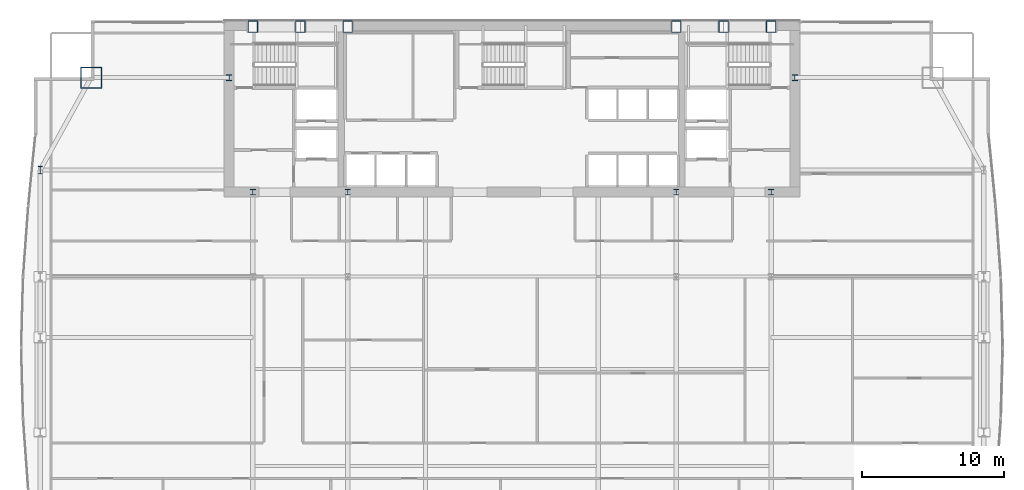
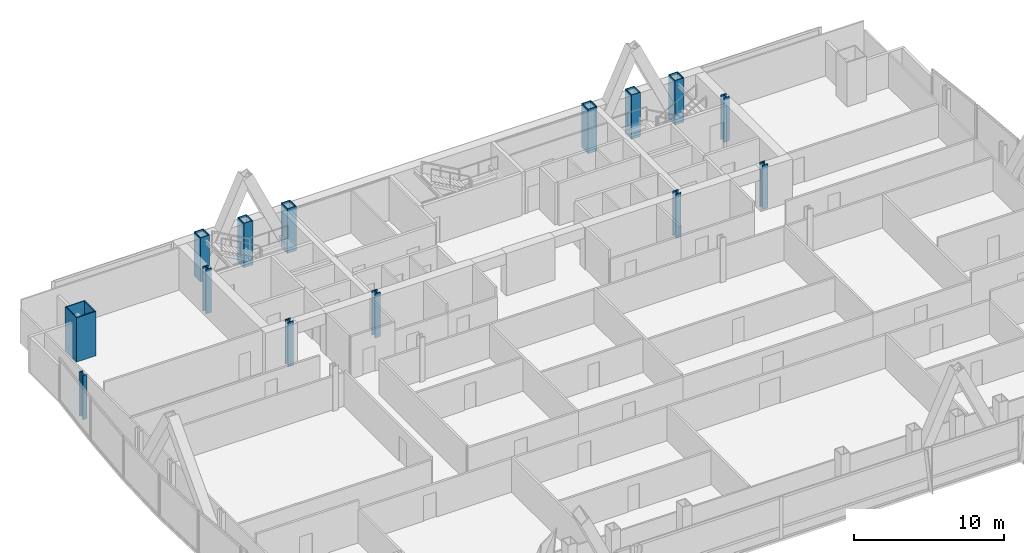
# One storey, part 3 of 31: 14 columns.
"""IFC4 building model written with IfcOpenShell, lengths in metres."""

import ifcopenshell
import ifcopenshell.guid

model = None  # the IFC model being written
_history = None  # IfcOwnerHistory: only IFC2X3 demands one
_inside = {}  # id of a spatial element -> (the spatial element, [elements in it])
_under = {}  # id of a project, library or spatial element -> (it, [spatial elements below it])
_declared = {}  # id of a project -> (the project, [libraries it declares])
_typed = {}  # id of a type object -> (the type object, [elements of that type])
_made_of = {}  # id of a material, layer set ... -> (it, [elements and type objects made of it])


def new_model(schema):
    """Start an empty IFC model of exactly this schema.

    Asked for "IFC4X3", IfcOpenShell would pick the latest addendum, in which some entities
    have other attributes; the version numbers below select the first issue.
    IFC2X3 requires an IfcOwnerHistory on every rooted entity: one is made here for all.
    """
    global model, _history
    if schema == "IFC4X3":
        model = ifcopenshell.file(schema_version=(4, 3, 0, 0))
    else:
        model = ifcopenshell.file(schema=schema)
    _inside.clear()
    _under.clear()
    _declared.clear()
    _typed.clear()
    _made_of.clear()
    _history = None
    if model.schema == "IFC2X3":
        org = make("IfcOrganization", Name="unknown")
        user = make(
            "IfcPersonAndOrganization",
            ThePerson=make("IfcPerson", FamilyName="unknown"),
            TheOrganization=org,
        )
        app = make(
            "IfcApplication",
            ApplicationDeveloper=org,
            Version="unknown",
            ApplicationFullName="unknown",
            ApplicationIdentifier="unknown",
        )
        _history = make(
            "IfcOwnerHistory",
            OwningUser=user,
            OwningApplication=app,
            ChangeAction="ADDED",
            CreationDate=0,
        )
    return model


def make(cls, **values):
    """One entity of the class cls with the attributes given. An attribute that is None is left unset."""
    return model.create_entity(
        cls, **{name: value for name, value in values.items() if value is not None}
    )


def rooted(cls, **values):
    """An entity with a GlobalId (a new one), such as an element, a storey or a relation."""
    return make(cls, GlobalId=ifcopenshell.guid.new(), OwnerHistory=_history, **values)


def si_unit(unit_type, name, prefix=None):
    """IfcSIUnit, for example si_unit("LENGTHUNIT", "METRE", prefix="MILLI")."""
    return make("IfcSIUnit", UnitType=unit_type, Prefix=prefix, Name=name)


def assignment(units):
    """IfcUnitAssignment: the units of a project."""
    return None if units is None else make("IfcUnitAssignment", Units=units)


def point(xyz):
    """IfcCartesianPoint."""
    return None if xyz is None else make("IfcCartesianPoint", Coordinates=xyz)


def direction(xyz):
    """IfcDirection."""
    return None if xyz is None else make("IfcDirection", DirectionRatios=xyz)


def frame(location, z_axis=None, x_axis=None):
    """IfcAxis2Placement3D, a coordinate frame: its origin and axes. An axis left out is left unset."""
    return make(
        "IfcAxis2Placement3D",
        Location=point(location),
        Axis=direction(z_axis),
        RefDirection=direction(x_axis),
    )


def frame_2d(location, x_axis=None):
    """IfcAxis2Placement2D, a coordinate frame in the plane: its origin and x axis."""
    return make(
        "IfcAxis2Placement2D", Location=point(location), RefDirection=direction(x_axis)
    )


def origin():
    """The frame at (0, 0, 0) with its axes left unset."""
    return frame((0.0, 0.0, 0.0))


def origin_2d():
    """The frame at (0, 0) in the plane with its x axis left unset."""
    return frame_2d((0.0, 0.0))


def place(relative_to, where):
    """IfcLocalPlacement: puts the frame where relative to a parent placement (None: the world)."""
    return make(
        "IfcLocalPlacement", PlacementRelTo=relative_to, RelativePlacement=where
    )


def context(
    kind, dimensions, precision=None, world=None, true_north=None, identifier=None
):
    """IfcGeometricRepresentationContext, for example the 3D "Model" context."""
    return make(
        "IfcGeometricRepresentationContext",
        ContextIdentifier=identifier,
        ContextType=kind,
        CoordinateSpaceDimension=dimensions,
        Precision=precision,
        WorldCoordinateSystem=world,
        TrueNorth=true_north,
    )


def subcontext(parent, identifier, kind, view, scale=None):
    """IfcGeometricRepresentationSubContext, for example "Body" below "Model"."""
    return make(
        "IfcGeometricRepresentationSubContext",
        ContextIdentifier=identifier,
        ContextType=kind,
        ParentContext=parent,
        TargetScale=scale,
        TargetView=view,
    )


def project(units=None, contexts=None):
    """IfcProject with its units and contexts."""
    return rooted(
        "IfcProject",
        Name="project",
        RepresentationContexts=contexts,
        UnitsInContext=assignment(units),
    )


def spatial(cls, under=None, at=None, **own):
    """A site, building, storey or space (cls), placed at a placement, below another one or the project."""
    s = rooted(cls, ObjectPlacement=at, **own)
    if under is not None:
        _under.setdefault(under.id(), (under, []))[1].append(s)
    return s


def profile(cls, at=None, kind="AREA", **sizes):
    """A parametric profile (cls). Its sizes go by their IFC names, for example OverallWidth=200.0."""
    return make(cls, ProfileType=kind, Position=at, **sizes)


def hollow_rectangle(**sizes):
    """IfcRectangleHollowProfileDef."""
    return profile("IfcRectangleHollowProfileDef", **sizes)


def i_section(**sizes):
    """IfcIShapeProfileDef."""
    return profile("IfcIShapeProfileDef", **sizes)


def extrude(swept, where, along, depth):
    """IfcExtrudedAreaSolid: the profile swept, set in the frame where, extruded along a direction by depth."""
    return make(
        "IfcExtrudedAreaSolid",
        SweptArea=swept,
        Position=where,
        ExtrudedDirection=direction(along),
        Depth=depth,
    )


def shape(context_of_items, identifier, shape_type, items):
    """IfcShapeRepresentation: the items that make up one representation, for example the "Body"."""
    return make(
        "IfcShapeRepresentation",
        ContextOfItems=context_of_items,
        RepresentationIdentifier=identifier,
        RepresentationType=shape_type,
        Items=items,
    )


def material(Name=None, Category=None):
    """IfcMaterial."""
    return make("IfcMaterial", Name=Name, Category=Category)


def material_profile(
    of_material, cross_section, Name=None, Category=None, Priority=None
):
    """IfcMaterialProfile: a cross section and its material."""
    return make(
        "IfcMaterialProfile",
        Name=Name,
        Material=of_material,
        Profile=cross_section,
        Priority=Priority,
        Category=Category,
    )


def profile_set(profiles, Name=None, composite=None):
    """IfcMaterialProfileSet."""
    return make(
        "IfcMaterialProfileSet",
        Name=Name,
        MaterialProfiles=profiles,
        CompositeProfile=composite,
    )


def made_of(thing, what):
    """Note that an element or type object is made of a material, layer set ...; save() writes the relation."""
    if what is not None:
        _made_of.setdefault(what.id(), (what, []))[1].append(thing)
    return thing


def type_object(cls, material=None, **own):
    """A type object (cls), such as IfcWallType, which elements share."""
    return made_of(rooted(cls, **own), material)


def element(
    cls,
    number,
    at=None,
    inside=None,
    cuts=None,
    type_object=None,
    material=None,
    context=None,
    identifier="Body",
    shape_type=None,
    held_by="IfcProductDefinitionShape",
    body=None,
    shapes=None,
    **own,
):
    """One element of the class cls, such as IfcWall. Its Tag is "e" and its number.

    at: its placement. inside: the storey or other place that contains it. cuts: it is an
    opening in that element (IfcRelVoidsElement). A single representation is given by context,
    identifier, shape_type and body (its items); several are given by shapes. held_by: the class
    of the entity that holds the representations. save() writes the other relations.
    """
    e = rooted(cls, Tag="e%d" % number, ObjectPlacement=at, **own)
    if body is not None:
        shapes = [shape(context, identifier, shape_type, body)]
    if shapes is not None:
        e.Representation = make(held_by, Representations=shapes)
    if inside is not None:
        _inside.setdefault(inside.id(), (inside, []))[1].append(e)
    if cuts is not None:
        rooted(
            "IfcRelVoidsElement", RelatingBuildingElement=cuts, RelatedOpeningElement=e
        )
    if type_object is not None:
        _typed.setdefault(type_object.id(), (type_object, []))[1].append(e)
    return made_of(e, material)


def aggregate(whole, parts):
    """IfcRelAggregates: a whole, such as a stair, and the parts it consists of."""
    return rooted("IfcRelAggregates", RelatingObject=whole, RelatedObjects=parts)


def save(model, path):
    """Write the relations noted so far, then the file.

    IfcRelAggregates (storeys below a building ...), IfcRelContainedInSpatialStructure (elements
    in a storey), IfcRelDefinesByType, IfcRelAssociatesMaterial and IfcRelDeclares: one each for
    every whole, place, type object, material and project.
    """
    for whole, parts in _under.values():
        aggregate(whole, parts)
    for where, things in _inside.values():
        rooted(
            "IfcRelContainedInSpatialStructure",
            RelatedElements=things,
            RelatingStructure=where,
        )
    for kind, things in _typed.values():
        rooted("IfcRelDefinesByType", RelatedObjects=things, RelatingType=kind)
    for what, things in _made_of.values():
        rooted("IfcRelAssociatesMaterial", RelatedObjects=things, RelatingMaterial=what)
    for by, libraries in _declared.values():
        rooted("IfcRelDeclares", RelatingContext=by, RelatedDefinitions=libraries)
    model.write(path)


model = new_model("IFC4")

# Units and contexts
model_context = context("Model", 3, precision=1e-05, world=origin(), true_north=direction((0.0, 1.0)))
body_context = subcontext(model_context, "Body", "Model", "MODEL_VIEW")
ifc_project = project(units=[si_unit("LENGTHUNIT", "METRE"), si_unit("AREAUNIT", "SQUARE_METRE"), si_unit("VOLUMEUNIT", "CUBIC_METRE"), si_unit("PLANEANGLEUNIT", "RADIAN"), si_unit("MASSUNIT", "GRAM", prefix="KILO")], contexts=[model_context])

# Site, building, storey
site_placement = place(None, origin())
site = spatial("IfcSite", under=ifc_project, at=site_placement, CompositionType="ELEMENT")
building_placement = place(site_placement, origin())
building = spatial("IfcBuilding", under=site, at=building_placement, Name="Khoronbel Lancet Exchange", CompositionType="ELEMENT")
storey_placement = place(building_placement, frame((0.0, 0.0, 129.0)))
storey = spatial("IfcBuildingStorey", under=building, at=storey_placement, Name="L31", CompositionType="ELEMENT", Elevation=129.0)

# Columns
ifc_material_1 = material(Name="Steel S460", Category="steel")
ifc_material_profile_1 = material_profile(ifc_material_1, hollow_rectangle(XDim=0.699951171875, YDim=0.85009765625, WallThickness=0.050048828125, at=origin_2d()), Name="BOX 850x700x50")
ifc_profile_set_1 = profile_set([ifc_material_profile_1], Name="Steel S460")
column_type_1 = type_object("IfcColumnType", Name="COL-EC2", PredefinedType="COLUMN", material=ifc_profile_set_1)
for number, where, z_axis, x_axis, name in (
    (1, (18.22509765625, 53.280029296875, 0.0), (0.0, 0.0, 1.0), (1.0, 0.0, 0.0), "Structural column NC-W1 L31"),
    (2, (21.5625, 53.280029296875, 0.0), (0.0, 0.0, 1.0), (1.0, 0.0, 0.0), "Structural column NC-WM L31"),
    (3, (24.89990234375, 53.280029296875, 0.0), (0.0, 0.0, 1.0), (1.0, 0.0, 0.0), "Structural column NC-W2 L31"),
    (4, (48.0, 53.280029296875, 0.0), (0.0, 0.0, 1.0), (1.0, 0.0, 0.0), "Structural column NC-E1 L31"),
    (5, (51.33740234375, 53.280029296875, 0.0), (0.0, 0.0, 1.0), (1.0, 0.0, 0.0), "Structural column NC-EM L31"),
    (6, (54.675048828125, 53.280029296875, 0.0), (0.0, 0.0, 1.0), (1.0, 0.0, 0.0), "Structural column NC-E2 L31"),
):
    element("IfcColumn", number, at=place(storey_placement, frame(where, z_axis=z_axis, x_axis=x_axis)), inside=storey, type_object=column_type_1, Name=name, PredefinedType="COLUMN", context=body_context, shape_type="SweptSolid", body=[
        extrude(hollow_rectangle(XDim=0.699951171875, YDim=0.85009765625, WallThickness=0.050048828125, at=origin_2d()), origin(), (0.0, 0.0, 1.0), 3.60009765625),
    ])
ifc_material_profile_2 = material_profile(ifc_material_1, i_section(OverallWidth=0.416015625, OverallDepth=0.446044921875, WebThickness=0.0390625, FlangeThickness=0.062744140625, at=origin_2d()), Name="HD 400x509")
ifc_profile_set_2 = profile_set([ifc_material_profile_2], Name="Steel S460")
column_type_2 = type_object("IfcColumnType", Name="COL-IC2", PredefinedType="COLUMN", material=ifc_profile_set_2)
for number, where, z_axis, x_axis, name in (
    (7, (16.550048828125, 49.699951171875, 0.0), (0.0, 0.0, 1.0), (1.0, 0.0, 0.0), "Core-flank plumb transfer column CFW L31"),
    (8, (56.35009765625, 49.699951171875, 0.0), (0.0, 0.0, 1.0), (1.0, 0.0, 0.0), "Core-flank plumb transfer column CFE L31"),
    (9, (18.22509765625, 41.64990234375, 0.0), (0.0, 0.0, 1.0), (1.0, 0.0, 0.0), "Core-embedded steel column CTC1 L31"),
    (10, (24.89990234375, 41.64990234375, 0.0), (0.0, 0.0, 1.0), (1.0, 0.0, 0.0), "Core-embedded steel column CTC2 L31"),
    (11, (48.0, 41.64990234375, 0.0), (0.0, 0.0, 1.0), (1.0, 0.0, 0.0), "Core-embedded steel column CTC3 L31"),
    (12, (54.675048828125, 41.64990234375, 0.0), (0.0, 0.0, 1.0), (1.0, 0.0, 0.0), "Core-embedded steel column CTC4 L31"),
):
    element("IfcColumn", number, at=place(storey_placement, frame(where, z_axis=z_axis, x_axis=x_axis)), inside=storey, type_object=column_type_2, Name=name, PredefinedType="COLUMN", context=body_context, shape_type="SweptSolid", body=[
        extrude(i_section(OverallWidth=0.416015625, OverallDepth=0.446044921875, WebThickness=0.0390625, FlangeThickness=0.062744140625, at=origin_2d()), origin(), (0.0, 0.0, 1.0), 3.60009765625),
    ])
ifc_material_2 = material(Name="Steel S355", Category="steel")
ifc_material_profile_3 = material_profile(ifc_material_2, i_section(OverallWidth=0.300048828125, OverallDepth=0.550048828125, WebThickness=0.014892578125, FlangeThickness=0.029052734375, at=origin_2d()), Name="HEB 550")
ifc_profile_set_3 = profile_set([ifc_material_profile_3], Name="Steel S355")
column_type_3 = type_object("IfcColumnType", Name="COL-LC1", PredefinedType="COLUMN", material=ifc_profile_set_3)
column_1_placement = place(storey_placement, frame((3.27001953125, 43.199951171875, 0.0), z_axis=(0.0, 0.0, 1.0), x_axis=(1.0, 0.0, 0.0)))
element("IfcColumn", 13, at=column_1_placement, inside=storey, type_object=column_type_3, Name="Structural column WC-4 L31", PredefinedType="COLUMN", context=body_context, shape_type="SweptSolid", body=[
    extrude(i_section(OverallWidth=0.300048828125, OverallDepth=0.550048828125, WebThickness=0.014892578125, FlangeThickness=0.029052734375, at=origin_2d()), origin(), (0.0, 0.0, 1.0), 3.60009765625),
])
ifc_material_profile_4 = material_profile(ifc_material_1, hollow_rectangle(XDim=1.5, YDim=1.5, WallThickness=0.070068359375, at=origin_2d()), Name="BOX 1500x1500x70")
ifc_profile_set_4 = profile_set([ifc_material_profile_4], Name="Steel S460")
column_type_4 = type_object("IfcColumnType", Name="COL-MC3", PredefinedType="COLUMN", material=ifc_profile_set_4)
column_2_placement = place(storey_placement, frame((6.85009765625, 49.699951171875, 0.0), z_axis=(0.0, 0.0, 1.0), x_axis=(1.0, 0.0, 0.0)))
element("IfcColumn", 14, at=column_2_placement, inside=storey, type_object=column_type_4, Name="Structural column MC-NW L31", PredefinedType="COLUMN", context=body_context, shape_type="SweptSolid", body=[
    extrude(hollow_rectangle(XDim=1.5, YDim=1.5, WallThickness=0.070068359375, at=origin_2d()), origin(), (0.0, 0.0, 1.0), 3.60009765625),
])

save(model, "model.ifc")
